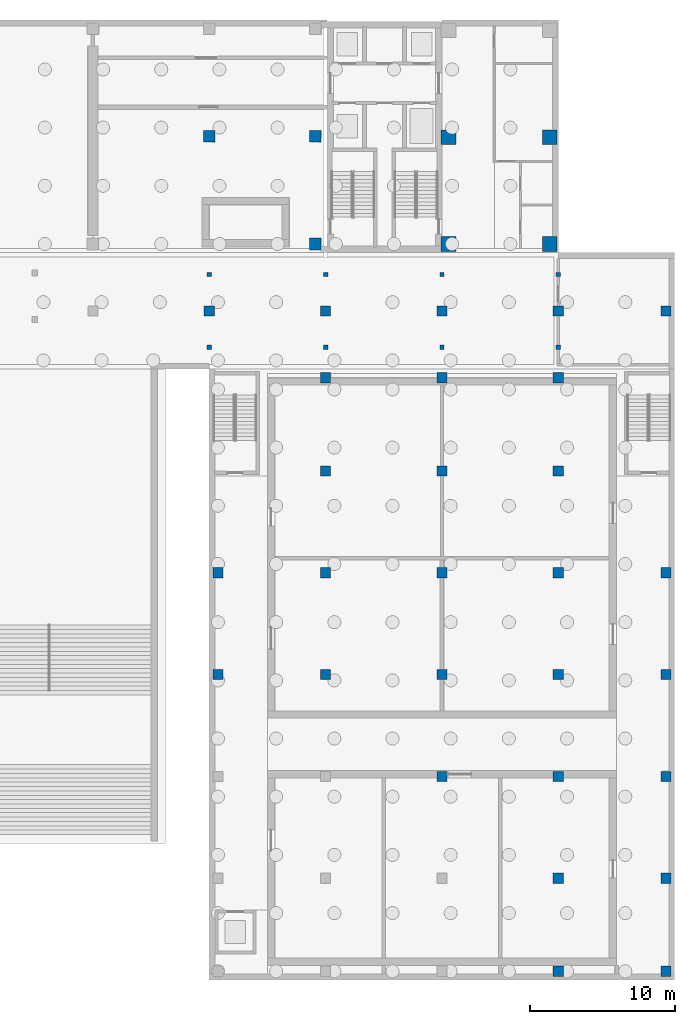
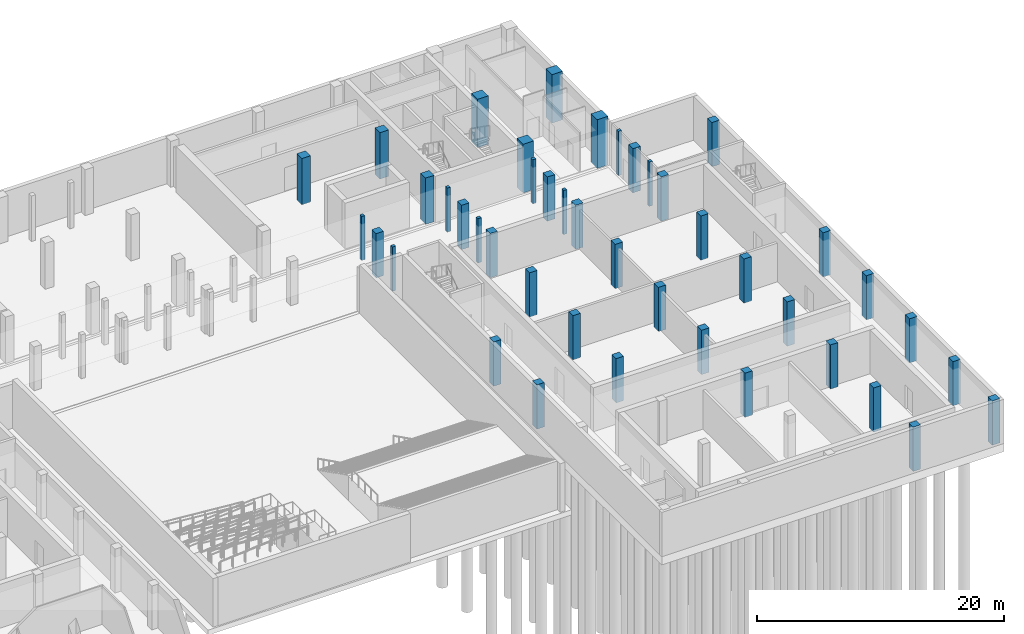
# One storey, part 4 of 21: 43 columns.
"""IFC4 building model written with IfcOpenShell, lengths in metres."""

from ifc_helpers import new_model, si_unit, direction, frame, origin, origin_2d, place, context, subcontext, project, spatial, rectangle, extrude, material, material_profile, profile_set, type_object, element, save


model = new_model("IFC4")

# Units and contexts
model_context = context("Model", 3, precision=1e-05, world=origin(), true_north=direction((0.0, 1.0)))
body_context = subcontext(model_context, "Body", "Model", "MODEL_VIEW")
ifc_project = project(units=[si_unit("LENGTHUNIT", "METRE"), si_unit("AREAUNIT", "SQUARE_METRE"), si_unit("VOLUMEUNIT", "CUBIC_METRE"), si_unit("PLANEANGLEUNIT", "RADIAN"), si_unit("MASSUNIT", "GRAM", prefix="KILO")], contexts=[model_context])

# Site, building, storey
site_placement = place(None, origin())
site = spatial("IfcSite", under=ifc_project, at=site_placement, CompositionType="ELEMENT")
building_placement = place(site_placement, origin())
building = spatial("IfcBuilding", under=site, at=building_placement, Name="Lantern Court Media Centre", CompositionType="ELEMENT")
storey_placement = place(building_placement, frame((0.0, 0.0, -4.800048828125)))
storey = spatial("IfcBuildingStorey", under=building, at=storey_placement, Name="B1", CompositionType="ELEMENT", Elevation=-4.800048828125)

# Columns
ifc_material = material(Name="Concrete C35", Category="concrete")
ifc_material_profile_1 = material_profile(ifc_material, rectangle(XDim=0.300048828125, YDim=0.300048828125, at=origin_2d()), Name="RC 300x300")
ifc_profile_set_1 = profile_set([ifc_material_profile_1], Name="Concrete C35")
column_type_1 = type_object("IfcColumnType", Name="Cloister post pedestal RC 300x300", PredefinedType="COLUMN", material=ifc_profile_set_1)
for number, where, z_axis, x_axis, name in (
    (1, (72.0, 41.5, 0.0), (0.0, 0.0, 1.0), (1.0, 0.0, 0.0), "Cloister post pedestal 21"),
    (2, (72.0, 46.5, 0.0), (0.0, 0.0, 1.0), (1.0, 0.0, 0.0), "Cloister post pedestal 22"),
    (3, (80.0, 41.5, 0.0), (0.0, 0.0, 1.0), (1.0, 0.0, 0.0), "Cloister post pedestal 23"),
    (4, (80.0, 46.5, 0.0), (0.0, 0.0, 1.0), (1.0, 0.0, 0.0), "Cloister post pedestal 24"),
    (5, (88.0, 41.5, 0.0), (0.0, 0.0, 1.0), (1.0, 0.0, 0.0), "Cloister post pedestal 25"),
    (6, (88.0, 46.5, 0.0), (0.0, 0.0, 1.0), (1.0, 0.0, 0.0), "Cloister post pedestal 26"),
    (7, (96.0, 41.5, 0.0), (0.0, 0.0, 1.0), (1.0, 0.0, 0.0), "Cloister post pedestal 27"),
    (8, (96.0, 46.5, 0.0), (0.0, 0.0, 1.0), (1.0, 0.0, 0.0), "Cloister post pedestal 28"),
):
    element("IfcColumn", number, at=place(storey_placement, frame(where, z_axis=z_axis, x_axis=x_axis)), inside=storey, type_object=column_type_1, Name=name, PredefinedType="COLUMN", context=body_context, shape_type="SweptSolid", body=[
        extrude(rectangle(XDim=0.300048828125, YDim=0.300048828125, at=origin_2d()), origin(), (0.0, 0.0, 1.0), 4.380126953125),
    ])
ifc_material_profile_2 = material_profile(ifc_material, rectangle(XDim=1.0, YDim=1.0, at=origin_2d()), Name="RC 1000x1000")
ifc_profile_set_2 = profile_set([ifc_material_profile_2], Name="Concrete C35")
column_type_2 = type_object("IfcColumnType", Name="RC COLUMN 1000x1000", PredefinedType="COLUMN", material=ifc_profile_set_2)
for number, where, z_axis, x_axis, name in (
    (9, (88.449951171875, 48.60009765625, 0.0), (0.0, 0.0, 1.0), (1.0, 0.0, 0.0), "C-SE-0-B1"),
    (10, (88.449951171875, 55.949951171875, 0.0), (0.0, 0.0, 1.0), (1.0, 0.0, 0.0), "C-SE-1-B1"),
    (11, (95.39990234375, 48.60009765625, 0.0), (0.0, 0.0, 1.0), (1.0, 0.0, 0.0), "C-SE-3-B1"),
    (12, (95.39990234375, 55.949951171875, 0.0), (0.0, 0.0, 1.0), (1.0, 0.0, 0.0), "C-SE-4-B1"),
):
    element("IfcColumn", number, at=place(storey_placement, frame(where, z_axis=z_axis, x_axis=x_axis)), inside=storey, type_object=column_type_2, Name=name, PredefinedType="COLUMN", context=body_context, shape_type="SweptSolid", body=[
        extrude(rectangle(XDim=1.0, YDim=1.0, at=origin_2d()), origin(), (0.0, 0.0, 1.0), 4.800048828125),
    ])
ifc_material_profile_3 = material_profile(ifc_material, rectangle(XDim=0.699951171875, YDim=0.699951171875, at=origin_2d()), Name="RC 700x700")
ifc_profile_set_3 = profile_set([ifc_material_profile_3], Name="Concrete C35")
column_type_3 = type_object("IfcColumnType", Name="RC COLUMN 700x700", PredefinedType="COLUMN", material=ifc_profile_set_3)
for number, where, z_axis, x_axis, name in (
    (13, (72.60009765625, 19.0, 0.0), (0.0, 0.0, 1.0), (1.0, 0.0, 0.0), "C-V2-0-3-B1"),
    (14, (72.60009765625, 26.0, 0.0), (0.0, 0.0, 1.0), (1.0, 0.0, 0.0), "C-V2-0-4-B1"),
    (15, (80.0, 19.0, 0.0), (0.0, 0.0, 1.0), (1.0, 0.0, 0.0), "C-V2-1-3-B1"),
    (16, (80.0, 26.0, 0.0), (0.0, 0.0, 1.0), (1.0, 0.0, 0.0), "C-V2-1-4-B1"),
    (17, (80.0, 33.0, 0.0), (0.0, 0.0, 1.0), (1.0, 0.0, 0.0), "C-V2-1-5-B1"),
    (18, (80.0, 39.39990234375, 0.0), (0.0, 0.0, 1.0), (1.0, 0.0, 0.0), "C-V2-1-6-B1"),
    (19, (88.0, 12.0, 0.0), (0.0, 0.0, 1.0), (1.0, 0.0, 0.0), "C-V2-2-2-B1"),
    (20, (88.0, 19.0, 0.0), (0.0, 0.0, 1.0), (1.0, 0.0, 0.0), "C-V2-2-3-B1"),
    (21, (88.0, 26.0, 0.0), (0.0, 0.0, 1.0), (1.0, 0.0, 0.0), "C-V2-2-4-B1"),
    (22, (88.0, 33.0, 0.0), (0.0, 0.0, 1.0), (1.0, 0.0, 0.0), "C-V2-2-5-B1"),
    (23, (88.0, 39.39990234375, 0.0), (0.0, 0.0, 1.0), (1.0, 0.0, 0.0), "C-V2-2-6-B1"),
    (24, (96.0, -1.39990234375, 0.0), (0.0, 0.0, 1.0), (1.0, 0.0, 0.0), "C-V2-3-0-B1"),
    (25, (96.0, 5.0, 0.0), (0.0, 0.0, 1.0), (1.0, 0.0, 0.0), "C-V2-3-1-B1"),
    (26, (96.0, 12.0, 0.0), (0.0, 0.0, 1.0), (1.0, 0.0, 0.0), "C-V2-3-2-B1"),
    (27, (96.0, 19.0, 0.0), (0.0, 0.0, 1.0), (1.0, 0.0, 0.0), "C-V2-3-3-B1"),
    (28, (96.0, 26.0, 0.0), (0.0, 0.0, 1.0), (1.0, 0.0, 0.0), "C-V2-3-4-B1"),
    (29, (96.0, 33.0, 0.0), (0.0, 0.0, 1.0), (1.0, 0.0, 0.0), "C-V2-3-5-B1"),
    (30, (96.0, 39.39990234375, 0.0), (0.0, 0.0, 1.0), (1.0, 0.0, 0.0), "C-V2-3-6-B1"),
    (31, (103.39990234375, -1.39990234375, 0.0), (0.0, 0.0, 1.0), (1.0, 0.0, 0.0), "C-V2-4-0-B1"),
    (32, (103.39990234375, 5.0, 0.0), (0.0, 0.0, 1.0), (1.0, 0.0, 0.0), "C-V2-4-1-B1"),
    (33, (103.39990234375, 12.0, 0.0), (0.0, 0.0, 1.0), (1.0, 0.0, 0.0), "C-V2-4-2-B1"),
    (34, (103.39990234375, 19.0, 0.0), (0.0, 0.0, 1.0), (1.0, 0.0, 0.0), "C-V2-4-3-B1"),
    (35, (103.39990234375, 26.0, 0.0), (0.0, 0.0, 1.0), (1.0, 0.0, 0.0), "C-V2-4-4-B1"),
    (36, (72.0, 44.0, 0.0), (0.0, 0.0, 1.0), (1.0, 0.0, 0.0), "C-GAL-72-B1"),
    (37, (80.0, 44.0, 0.0), (0.0, 0.0, 1.0), (1.0, 0.0, 0.0), "C-GAL-80-B1"),
    (38, (88.0, 44.0, 0.0), (0.0, 0.0, 1.0), (1.0, 0.0, 0.0), "C-GAL-88-B1"),
    (39, (96.0, 44.0, 0.0), (0.0, 0.0, 1.0), (1.0, 0.0, 0.0), "C-GAL-96-B1"),
    (40, (103.39990234375, 44.0, 0.0), (0.0, 0.0, 1.0), (1.0, 0.0, 0.0), "C-GAL-104-B1"),
):
    element("IfcColumn", number, at=place(storey_placement, frame(where, z_axis=z_axis, x_axis=x_axis)), inside=storey, type_object=column_type_3, Name=name, PredefinedType="COLUMN", context=body_context, shape_type="SweptSolid", body=[
        extrude(rectangle(XDim=0.699951171875, YDim=0.699951171875, at=origin_2d()), origin(), (0.0, 0.0, 1.0), 4.380126953125),
    ])
ifc_material_profile_4 = material_profile(ifc_material, rectangle(XDim=0.800048828125, YDim=0.800048828125, at=origin_2d()), Name="RC 800x800")
ifc_profile_set_4 = profile_set([ifc_material_profile_4], Name="Concrete C35")
column_type_4 = type_object("IfcColumnType", Name="RC COLUMN 800x800", PredefinedType="COLUMN", material=ifc_profile_set_4)
for number, where, z_axis, x_axis, name in (
    (41, (79.300048828125, 48.60009765625, 0.0), (0.0, 0.0, 1.0), (1.0, 0.0, 0.0), "C-S-0-7-B1"),
    (42, (72.0, 56.0, 0.0), (0.0, 0.0, 1.0), (1.0, 0.0, 0.0), "C-S-1-6-B1"),
    (43, (79.300048828125, 56.0, 0.0), (0.0, 0.0, 1.0), (1.0, 0.0, 0.0), "C-S-1-7-B1"),
):
    element("IfcColumn", number, at=place(storey_placement, frame(where, z_axis=z_axis, x_axis=x_axis)), inside=storey, type_object=column_type_4, Name=name, PredefinedType="COLUMN", context=body_context, shape_type="SweptSolid", body=[
        extrude(rectangle(XDim=0.800048828125, YDim=0.800048828125, at=origin_2d()), origin(), (0.0, 0.0, 1.0), 4.580078125),
    ])

save(model, "model.ifc")
